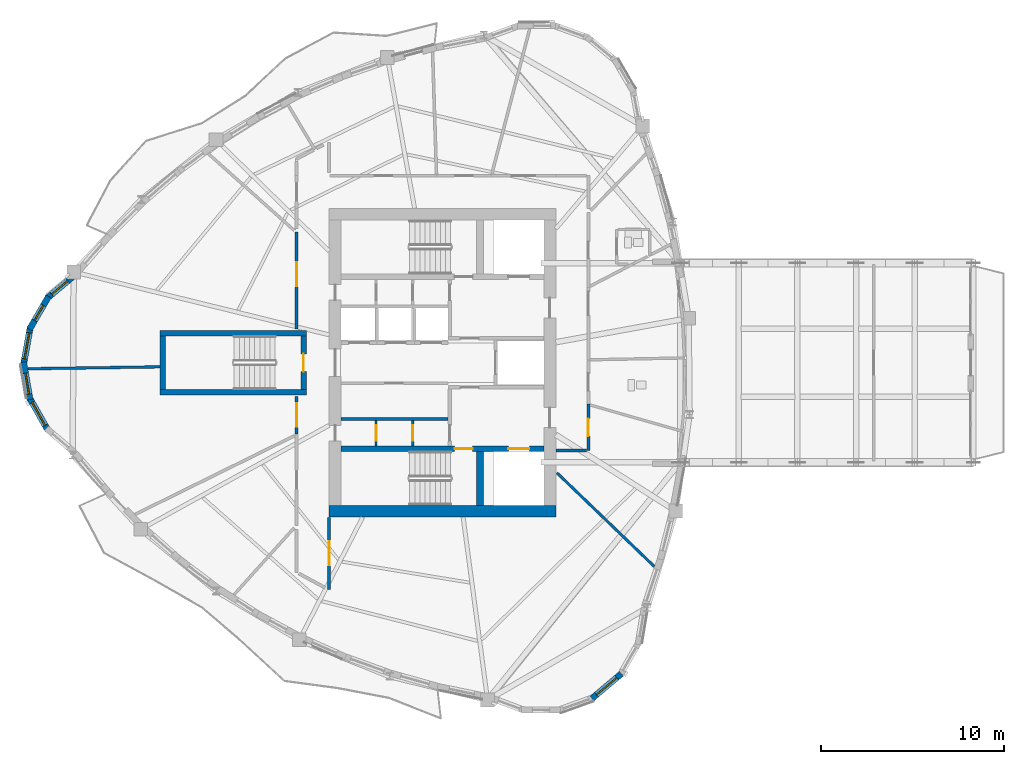
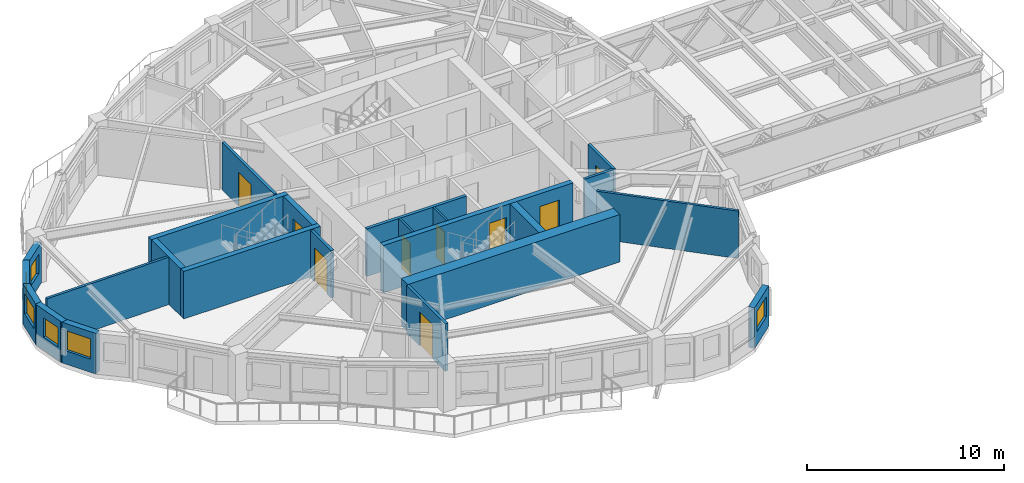
# One storey, part 5 of 13: 23 walls, 9 doors, 6 windows, 15 openings.
"""IFC4 building model written with IfcOpenShell, lengths in metres."""

from ifc_helpers import new_model, si_unit, direction, frame, frame_2d, origin, place, context, subcontext, project, spatial, rectangle, extrude, source, transform, mapped, material, layer, layer_set, type_object, element, fill, save


model = new_model("IFC4")

# Units and contexts
model_context = context("Model", 3, precision=1e-05, world=origin(), true_north=direction((0.0, 1.0)))
body_context = subcontext(model_context, "Body", "Model", "MODEL_VIEW")
ifc_project = project(units=[si_unit("LENGTHUNIT", "METRE"), si_unit("AREAUNIT", "SQUARE_METRE"), si_unit("VOLUMEUNIT", "CUBIC_METRE"), si_unit("PLANEANGLEUNIT", "RADIAN"), si_unit("MASSUNIT", "GRAM", prefix="KILO")], contexts=[model_context])

# Site, building, storey
site_placement = place(None, origin())
site = spatial("IfcSite", under=ifc_project, at=site_placement, CompositionType="ELEMENT")
building_placement = place(site_placement, origin())
building = spatial("IfcBuilding", under=site, at=building_placement, Name="Qafzar Sky-Pleat Residences", CompositionType="ELEMENT")
storey_placement = place(building_placement, frame((0.0, 0.0, 152.199951171875)))
storey = spatial("IfcBuildingStorey", under=building, at=storey_placement, Name="L45", CompositionType="ELEMENT", Elevation=152.199951171875)

# Wall, opening, door
ifc_material_1 = material(Name="Acoustic gypsum plasterboard partition", Category="gypsum")
ifc_layer_1 = layer(ifc_material_1, 0.159912109375)
ifc_layer_set_1 = layer_set([ifc_layer_1], Name="Acoustic gypsum plasterboard partition")
wall_type_1 = type_object("IfcWallType", Name="PART-COR-160", PredefinedType="PARTITIONING", material=ifc_layer_set_1)
wall_1_placement = place(storey_placement, frame((22.3701171875, 27.85009765625, 0.0), z_axis=(0.0, 0.0, 1.0), x_axis=(0.0, 1.0, 0.0)))
wall_1 = element("IfcWall", 1, at=wall_1_placement, inside=storey, type_object=wall_type_1, Name="L45 Partition Wall PART-L45-PW-003", PredefinedType="PARTITIONING", context=body_context, shape_type="SweptSolid", body=[
    extrude(rectangle(XDim=5.2939453125, YDim=0.159912109375, at=frame_2d((2.64697265625, 0.0))), origin(), (0.0, 0.0, 1.0), 2.93505859375),
])
opening_1_placement = place(wall_1_placement, frame((2.340576171875, 0.0, 0.0)))
opening_1 = element("IfcOpeningElement", 2, at=opening_1_placement, cuts=wall_1, Name="Opening ID-05", PredefinedType="OPENING", context=body_context, shape_type="SweptSolid", body=[
    extrude(rectangle(XDim=1.300048828125, YDim=2.10009765625, at=frame_2d((0.64990234375, 1.050048828125))), frame((0.0, 0.08984375, 0.0), z_axis=(0.0, -1.0, 0.0), x_axis=(1.0, 0.0, 0.0)), (0.0, 0.0, 1.0), 0.179931640625),
])
ifc_material_2 = material(Name="Timber-faced fire door", Category="wood")
door_type_1 = type_object("IfcDoorType", Name="DR-LNG-1300", OperationType="DOUBLE_DOOR_SINGLE_SWING", PredefinedType="DOOR", material=ifc_material_2)
shared_shape_1 = source(origin(), body_context, "Body", "SweptSolid", [
    extrude(rectangle(XDim=1.300048828125, YDim=2.10009765625, at=frame_2d((0.64990234375, 1.050048828125))), frame((0.0, 0.02490234375, 0.0), z_axis=(0.0, -1.0, 0.0), x_axis=(1.0, 0.0, 0.0)), (0.0, 0.0, 1.0), 0.050048828125),
])
door_1_placement = place(opening_1_placement, origin())
door_1 = element("IfcDoor", 3, at=door_1_placement, inside=storey, type_object=door_type_1, Name="L45 Tutorial Huddle Room Door", OperationType="DOUBLE_DOOR_SINGLE_SWING", OverallHeight=2.10009765625, OverallWidth=1.300048828125, PredefinedType="DOOR", context=body_context, shape_type="MappedRepresentation", body=[
    mapped(shared_shape_1, transform((0.0, 0.0, 0.0), x_axis=(1.0, 0.0, 0.0), y_axis=(0.0, 1.0, 0.0), z_axis=(0.0, 0.0, 1.0), scale=1.0)),
])
fill(opening_1, door_1)

wall_2_placement = place(storey_placement, frame((24.14990234375, 17.5419921875, 0.0), z_axis=(0.0, 0.0, 1.0), x_axis=(0.0, -1.0, 0.0)))
wall_2 = element("IfcWall", 4, at=wall_2_placement, inside=storey, type_object=wall_type_1, Name="L45 Partition Wall PART-L45-PW-007", PredefinedType="PARTITIONING", context=body_context, shape_type="SweptSolid", body=[
    extrude(rectangle(XDim=3.945068359375, YDim=0.159912109375, at=frame_2d((1.97265625, 0.0))), origin(), (0.0, 0.0, 1.0), 2.93505859375),
])
opening_2_placement = place(wall_2_placement, frame((1.318603515625, 0.0, 0.0)))
opening_2 = element("IfcOpeningElement", 5, at=opening_2_placement, cuts=wall_2, Name="Opening ID-05", PredefinedType="OPENING", context=body_context, shape_type="SweptSolid", body=[
    extrude(rectangle(XDim=1.300048828125, YDim=2.10009765625, at=frame_2d((0.64990234375, 1.050048828125))), frame((0.0, 0.08984375, 0.0), z_axis=(0.0, -1.0, 0.0), x_axis=(1.0, 0.0, 0.0)), (0.0, 0.0, 1.0), 0.179931640625),
])
door_2_placement = place(opening_2_placement, origin())
door_2 = element("IfcDoor", 6, at=door_2_placement, inside=storey, type_object=door_type_1, Name="L45 Academic Seminar Room Door", OperationType="DOUBLE_DOOR_SINGLE_SWING", OverallHeight=2.10009765625, OverallWidth=1.300048828125, PredefinedType="DOOR", context=body_context, shape_type="MappedRepresentation", body=[
    mapped(shared_shape_1, transform((0.0, 0.0, 0.0), x_axis=(1.0, 0.0, 0.0), y_axis=(0.0, 1.0, 0.0), z_axis=(0.0, 0.0, 1.0), scale=1.0)),
])
fill(opening_2, door_2)

wall_3_placement = place(storey_placement, frame((38.330078125, 23.735107421875, 0.0), z_axis=(0.0, 0.0, 1.0), x_axis=(0.0, -1.0, 0.0)))
wall_3 = element("IfcWall", 7, at=wall_3_placement, inside=storey, type_object=wall_type_1, Name="L45 Partition Wall PART-L45-PW-011", PredefinedType="PARTITIONING", context=body_context, shape_type="SweptSolid", body=[
    extrude(rectangle(XDim=2.53515625, YDim=0.159912109375, at=frame_2d((1.267578125, 0.0))), origin(), (0.0, 0.0, 1.0), 2.93505859375),
])
opening_3_placement = place(wall_3_placement, frame((0.79541015625, 0.0, 0.0)))
opening_3 = element("IfcOpeningElement", 8, at=opening_3_placement, cuts=wall_3, Name="Opening ID-06", PredefinedType="OPENING", context=body_context, shape_type="SweptSolid", body=[
    extrude(rectangle(XDim=0.9599609375, YDim=2.10009765625, at=frame_2d((0.47998046875, 1.050048828125))), frame((0.0, 0.08984375, 0.0), z_axis=(0.0, -1.0, 0.0), x_axis=(1.0, 0.0, 0.0)), (0.0, 0.0, 1.0), 0.179931640625),
])
door_type_2 = type_object("IfcDoorType", Name="DR-STD-960", OperationType="NOTDEFINED", PredefinedType="DOOR", material=ifc_material_2)
shared_shape_2 = source(origin(), body_context, "Body", "SweptSolid", [
    extrude(rectangle(XDim=0.9599609375, YDim=2.10009765625, at=frame_2d((0.47998046875, 1.050048828125))), frame((0.0, 0.02490234375, 0.0), z_axis=(0.0, -1.0, 0.0), x_axis=(1.0, 0.0, 0.0)), (0.0, 0.0, 1.0), 0.050048828125),
])
door_3_placement = place(opening_3_placement, origin())
door_3 = element("IfcDoor", 9, at=door_3_placement, inside=storey, type_object=door_type_2, Name="L45 Reading Library Door", OperationType="SINGLE_SWING_RIGHT", OverallHeight=2.10009765625, OverallWidth=0.9599609375, PredefinedType="DOOR", context=body_context, shape_type="MappedRepresentation", body=[
    mapped(shared_shape_2, transform((0.0, 0.0, 0.0), x_axis=(1.0, 0.0, 0.0), y_axis=(0.0, 1.0, 0.0), z_axis=(0.0, 0.0, 1.0), scale=1.0)),
])
fill(opening_3, door_3)

wall_4_placement = place(storey_placement, frame((22.3701171875, 22.093994140625, 0.0), z_axis=(0.0, 0.0, 1.0), x_axis=(0.0, 1.0, 0.0)))
wall_4 = element("IfcWall", 10, at=wall_4_placement, inside=storey, type_object=wall_type_1, Name="L45 Partition Wall PART-L45-PW-013", PredefinedType="PARTITIONING", context=body_context, shape_type="SweptSolid", body=[
    extrude(rectangle(XDim=2.055908203125, YDim=0.159912109375, at=frame_2d((1.02783203125, 0.0))), origin(), (0.0, 0.0, 1.0), 2.93505859375),
])
opening_4_placement = place(wall_4_placement, frame((0.39990234375, 0.0, 0.0)))
opening_4 = element("IfcOpeningElement", 11, at=opening_4_placement, cuts=wall_4, Name="Opening ID-05", PredefinedType="OPENING", context=body_context, shape_type="SweptSolid", body=[
    extrude(rectangle(XDim=1.300048828125, YDim=2.10009765625, at=frame_2d((0.64990234375, 1.050048828125))), frame((0.0, 0.08984375, 0.0), z_axis=(0.0, -1.0, 0.0), x_axis=(1.0, 0.0, 0.0)), (0.0, 0.0, 1.0), 0.179931640625),
])
door_4_placement = place(opening_4_placement, origin())
door_4 = element("IfcDoor", 12, at=door_4_placement, inside=storey, type_object=door_type_1, Name="L45 Research Conference Room Door", OperationType="DOUBLE_DOOR_SINGLE_SWING", OverallHeight=2.10009765625, OverallWidth=1.300048828125, PredefinedType="DOOR", context=body_context, shape_type="MappedRepresentation", body=[
    mapped(shared_shape_1, transform((0.0, 0.0, 0.0), x_axis=(1.0, 0.0, 0.0), y_axis=(0.0, 1.0, 0.0), z_axis=(0.0, 0.0, 1.0), scale=1.0)),
])
fill(opening_4, door_4)

# Walls
wall_5_placement = place(storey_placement, frame((36.55810546875, 21.199951171875, 0.0), z_axis=(0.0, 0.0, 1.0), x_axis=(1.0, 0.0, 0.0)))
element("IfcWall", 13, at=wall_5_placement, inside=storey, type_object=wall_type_1, Name="L45 Partition Wall PART-L45-PW-032", PredefinedType="PARTITIONING", context=body_context, shape_type="SweptSolid", body=[
    extrude(rectangle(XDim=1.683837890625, YDim=0.159912109375, at=frame_2d((0.841796875, 0.0))), origin(), (0.0, 0.0, 1.0), 2.93505859375),
])
ifc_material_3 = material(Name="Concrete blockwork partition", Category="masonry")
ifc_layer_2 = layer(ifc_material_3, 0.179931640625)
ifc_layer_set_2 = layer_set([ifc_layer_2], Name="Concrete blockwork partition")
wall_type_2 = type_object("IfcWallType", Name="PART-SHAFT-180", PredefinedType="PARTITIONING", material=ifc_layer_set_2)
wall_6_placement = place(storey_placement, frame((24.81005859375, 22.919921875, 0.0), z_axis=(0.0, 0.0, 1.0), x_axis=(1.0, 0.0, 0.0)))
element("IfcWall", 14, at=wall_6_placement, inside=storey, type_object=wall_type_2, Name="L45 Partition Wall PART-L45-P13-S", PredefinedType="PARTITIONING", context=body_context, shape_type="SweptSolid", body=[
    extrude(rectangle(XDim=5.83984375, YDim=0.179931640625, at=frame_2d((2.919921875, 0.0))), origin(), (0.0, 0.0, 1.0), 2.93505859375),
])

# Wall, opening, door
ifc_material_4 = material(Name="Gypsum plasterboard partition", Category="gypsum")
ifc_layer_3 = layer(ifc_material_4, 0.114990234375)
ifc_layer_set_3 = layer_set([ifc_layer_3], Name="Gypsum plasterboard partition")
wall_type_3 = type_object("IfcWallType", Name="PART-SVC-115", PredefinedType="PARTITIONING", material=ifc_layer_set_3)
wall_7_placement = place(storey_placement, frame((26.72509765625, 21.4599609375, 0.0), z_axis=(0.0, 0.0, 1.0), x_axis=(0.0, 1.0, 0.0)))
wall_7 = element("IfcWall", 15, at=wall_7_placement, inside=storey, type_object=wall_type_3, Name="L45 Partition Wall PART-L45-KC-SW-1", PredefinedType="PARTITIONING", context=body_context, shape_type="SweptSolid", body=[
    extrude(rectangle(XDim=1.380126953125, YDim=0.114990234375, at=frame_2d((0.68994140625, 0.0))), origin(), (0.0, 0.0, 1.0), 2.93505859375),
])
opening_5_placement = place(wall_7_placement, frame((0.260009765625, 0.0, 0.0)))
opening_5 = element("IfcOpeningElement", 16, at=opening_5_placement, cuts=wall_7, Name="Opening ID-09", PredefinedType="OPENING", context=body_context, shape_type="SweptSolid", body=[
    extrude(rectangle(XDim=0.860107421875, YDim=2.050048828125, at=frame_2d((0.43017578125, 1.02490234375))), frame((0.0, 0.0673828125, 0.0), z_axis=(0.0, -1.0, 0.0), x_axis=(1.0, 0.0, 0.0)), (0.0, 0.0, 1.0), 0.135009765625),
])
door_type_3 = type_object("IfcDoorType", Name="DR-SVC-860", OperationType="NOTDEFINED", PredefinedType="DOOR", material=ifc_material_2)
shared_shape_3 = source(origin(), body_context, "Body", "SweptSolid", [
    extrude(rectangle(XDim=0.860107421875, YDim=2.050048828125, at=frame_2d((0.43017578125, 1.02490234375))), frame((0.0, 0.02490234375, 0.0), z_axis=(0.0, -1.0, 0.0), x_axis=(1.0, 0.0, 0.0)), (0.0, 0.0, 1.0), 0.050048828125),
])
door_5_placement = place(opening_5_placement, origin())
door_5 = element("IfcDoor", 17, at=door_5_placement, inside=storey, type_object=door_type_3, Name="L45 Core South Cupboard 1 Door", OperationType="SINGLE_SWING_LEFT", OverallHeight=2.050048828125, OverallWidth=0.860107421875, PredefinedType="DOOR", context=body_context, shape_type="MappedRepresentation", body=[
    mapped(shared_shape_3, transform((0.0, 0.0, 0.0), x_axis=(1.0, 0.0, 0.0), y_axis=(0.0, 1.0, 0.0), z_axis=(0.0, 0.0, 1.0), scale=1.0)),
])
fill(opening_5, door_5)

wall_8_placement = place(storey_placement, frame((28.72509765625, 21.4599609375, 0.0), z_axis=(0.0, 0.0, 1.0), x_axis=(0.0, 1.0, 0.0)))
wall_8 = element("IfcWall", 18, at=wall_8_placement, inside=storey, type_object=wall_type_3, Name="L45 Partition Wall PART-L45-KC-SW-2", PredefinedType="PARTITIONING", context=body_context, shape_type="SweptSolid", body=[
    extrude(rectangle(XDim=1.380126953125, YDim=0.114990234375, at=frame_2d((0.68994140625, 0.0))), origin(), (0.0, 0.0, 1.0), 2.93505859375),
])
opening_6_placement = place(wall_8_placement, frame((0.260009765625, 0.0, 0.0)))
opening_6 = element("IfcOpeningElement", 19, at=opening_6_placement, cuts=wall_8, Name="Opening ID-09", PredefinedType="OPENING", context=body_context, shape_type="SweptSolid", body=[
    extrude(rectangle(XDim=0.860107421875, YDim=2.050048828125, at=frame_2d((0.43017578125, 1.02490234375))), frame((0.0, 0.0673828125, 0.0), z_axis=(0.0, -1.0, 0.0), x_axis=(1.0, 0.0, 0.0)), (0.0, 0.0, 1.0), 0.135009765625),
])
door_6_placement = place(opening_6_placement, origin())
door_6 = element("IfcDoor", 20, at=door_6_placement, inside=storey, type_object=door_type_3, Name="L45 Core South Cupboard 2 Door", OperationType="SINGLE_SWING_LEFT", OverallHeight=2.050048828125, OverallWidth=0.860107421875, PredefinedType="DOOR", context=body_context, shape_type="MappedRepresentation", body=[
    mapped(shared_shape_3, transform((0.0, 0.0, 0.0), x_axis=(1.0, 0.0, 0.0), y_axis=(0.0, 1.0, 0.0), z_axis=(0.0, 0.0, 1.0), scale=1.0)),
])
fill(opening_6, door_6)

# Walls
ifc_layer_4 = layer(ifc_material_1, 0.14501953125)
ifc_layer_set_4 = layer_set([ifc_layer_4], Name="Acoustic gypsum plasterboard partition")
wall_type_4 = type_object("IfcWallType", Name="PART-UNIT-145", PredefinedType="PARTITIONING", material=ifc_layer_set_4)
wall_9_placement = place(storey_placement, frame((36.60595703125, 19.983154296875, 0.0), z_axis=(0.0, 0.0, 1.0), x_axis=(0.720776649136, -0.69316738387, 0.0)))
element("IfcWall", 21, at=wall_9_placement, inside=storey, type_object=wall_type_4, Name="L45 Partition Wall PART-L45-PW-018", PredefinedType="PARTITIONING", context=body_context, shape_type="SweptSolid", body=[
    extrude(rectangle(XDim=7.4013671875, YDim=0.14501953125, at=frame_2d((3.70068359375, 0.0))), origin(), (0.0, 0.0, 1.0), 2.93505859375),
])
wall_10_placement = place(storey_placement, frame((7.689453125, 25.67138671875, 0.0), z_axis=(0.0, 0.0, 1.0), x_axis=(0.999894747293, 0.014508422953, 0.0)))
element("IfcWall", 22, at=wall_10_placement, inside=storey, type_object=wall_type_4, Name="L45 Partition Wall PART-L45-PW-019", PredefinedType="PARTITIONING", context=body_context, shape_type="SweptSolid", body=[
    extrude(rectangle(XDim=7.2021484375, YDim=0.14501953125, at=frame_2d((3.60107421875, 0.0))), origin(), (0.0, 0.0, 1.0), 2.93505859375),
])

# Wall, opening, window
ifc_material_5 = material(Name="Precast concrete C40/50 with honed Riyadh limestone", Category="concrete")
ifc_layer_5 = layer(ifc_material_5, 0.340087890625)
ifc_layer_set_5 = layer_set([ifc_layer_5], Name="Precast concrete C40/50 with honed Riyadh limestone")
wall_type_5 = type_object("IfcWallType", Name="WALL-EXT-340", PredefinedType="SOLIDWALL", material=ifc_layer_set_5)
wall_11_placement = place(storey_placement, frame((10.1640625, 30.737548828125, 0.0), z_axis=(0.0, 0.0, 1.0), x_axis=(-0.766501557267, -0.64224244854, 0.0)))
wall_11 = element("IfcWall", 23, at=wall_11_placement, inside=storey, type_object=wall_type_5, Name="L45 Limestone Facade Wall 1", PredefinedType="SOLIDWALL", context=body_context, shape_type="SweptSolid", body=[
    extrude(rectangle(XDim=1.88818359375, YDim=0.340087890625, at=frame_2d((0.944091796875, 0.0))), origin(), (0.0, 0.0, 1.0), 2.51513671875),
])
opening_7_placement = place(wall_11_placement, frame((0.404052734375, 0.0, 0.820068359375)))
opening_7 = element("IfcOpeningElement", 24, at=opening_7_placement, cuts=wall_11, Name="Opening WN-16", PredefinedType="OPENING", context=body_context, shape_type="SweptSolid", body=[
    extrude(rectangle(XDim=1.14990234375, YDim=1.199951171875, at=frame_2d((0.574951171875, 0.60009765625))), frame((0.0, 0.18017578125, 0.0), z_axis=(0.0, -1.0, 0.0), x_axis=(1.0, 0.0, 0.0)), (0.0, 0.0, 1.0), 0.360107421875),
])
ifc_material_6 = material(Name="Solar-control low-E glass in bronze aluminium frame", Category="glass")
window_type_1 = type_object("IfcWindowType", Name="WIN-16", PartitioningType="SINGLE_PANEL", PredefinedType="WINDOW", material=ifc_material_6)
shared_shape_4 = source(origin(), body_context, "Body", "SweptSolid", [
    extrude(rectangle(XDim=1.14990234375, YDim=1.199951171875, at=frame_2d((0.574951171875, 0.60009765625))), frame((0.0, 0.030029296875, 0.0), z_axis=(0.0, -1.0, 0.0), x_axis=(1.0, 0.0, 0.0)), (0.0, 0.0, 1.0), 0.06005859375),
])
window_1_placement = place(opening_7_placement, origin())
window_1 = element("IfcWindow", 25, at=window_1_placement, inside=storey, type_object=window_type_1, Name="L45 Punched Facade Window 01", OverallHeight=1.199951171875, OverallWidth=1.14990234375, PartitioningType="SINGLE_PANEL", PredefinedType="WINDOW", context=body_context, shape_type="MappedRepresentation", body=[
    mapped(shared_shape_4, transform((0.0, 0.0, 0.0), x_axis=(1.0, 0.0, 0.0), y_axis=(0.0, 1.0, 0.0), z_axis=(0.0, 0.0, 1.0), scale=1.0)),
])
fill(opening_7, window_1)

wall_12_placement = place(storey_placement, frame((8.802734375, 29.627197265625, 0.0), z_axis=(0.0, 0.0, 1.0), x_axis=(-0.502090235641, -0.864815237651, 0.0)))
wall_12 = element("IfcWall", 26, at=wall_12_placement, inside=storey, type_object=wall_type_5, Name="L45 Limestone Facade Wall 2", PredefinedType="SOLIDWALL", context=body_context, shape_type="SweptSolid", body=[
    extrude(rectangle(XDim=2.0810546875, YDim=0.340087890625, at=frame_2d((1.04052734375, 0.0))), origin(), (0.0, 0.0, 1.0), 2.51513671875),
])
opening_8_placement = place(wall_12_placement, frame((0.5654296875, 0.0, 0.820068359375)))
opening_8 = element("IfcOpeningElement", 27, at=opening_8_placement, cuts=wall_12, Name="Opening WN-12", PredefinedType="OPENING", context=body_context, shape_type="SweptSolid", body=[
    extrude(rectangle(XDim=0.949951171875, YDim=1.35009765625, at=frame_2d((0.47509765625, 0.675048828125))), frame((0.0, 0.18017578125, 0.0), z_axis=(0.0, -1.0, 0.0), x_axis=(1.0, 0.0, 0.0)), (0.0, 0.0, 1.0), 0.360107421875),
])
window_type_2 = type_object("IfcWindowType", Name="WIN-12", PartitioningType="SINGLE_PANEL", PredefinedType="WINDOW", material=ifc_material_6)
shared_shape_5 = source(origin(), body_context, "Body", "SweptSolid", [
    extrude(rectangle(XDim=0.949951171875, YDim=1.35009765625, at=frame_2d((0.47509765625, 0.675048828125))), frame((0.0, 0.030029296875, 0.0), z_axis=(0.0, -1.0, 0.0), x_axis=(1.0, 0.0, 0.0)), (0.0, 0.0, 1.0), 0.06005859375),
])
window_2_placement = place(opening_8_placement, origin())
window_2 = element("IfcWindow", 28, at=window_2_placement, inside=storey, type_object=window_type_2, Name="L45 Punched Facade Window 02", OverallHeight=1.35009765625, OverallWidth=0.949951171875, PartitioningType="SINGLE_PANEL", PredefinedType="WINDOW", context=body_context, shape_type="MappedRepresentation", body=[
    mapped(shared_shape_5, transform((0.0, 0.0, 0.0), x_axis=(1.0, 0.0, 0.0), y_axis=(0.0, 1.0, 0.0), z_axis=(0.0, 0.0, 1.0), scale=1.0)),
])
fill(opening_8, window_2)

wall_13_placement = place(storey_placement, frame((7.803955078125, 27.952880859375, 0.0), z_axis=(0.0, 0.0, 1.0), x_axis=(-0.177605215389, -0.984101817632, 0.0)))
wall_13 = element("IfcWall", 29, at=wall_13_placement, inside=storey, type_object=wall_type_5, Name="L45 Limestone Facade Wall 3", PredefinedType="SOLIDWALL", context=body_context, shape_type="SweptSolid", body=[
    extrude(rectangle(XDim=2.081298828125, YDim=0.340087890625, at=frame_2d((1.04052734375, 0.0))), origin(), (0.0, 0.0, 1.0), 2.51513671875),
])
opening_9_placement = place(wall_13_placement, frame((0.315673828125, 0.0, 0.820068359375)))
opening_9 = element("IfcOpeningElement", 30, at=opening_9_placement, cuts=wall_13, Name="Opening WN-15", PredefinedType="OPENING", context=body_context, shape_type="SweptSolid", body=[
    extrude(rectangle(XDim=1.449951171875, YDim=1.25, at=frame_2d((0.72509765625, 0.625))), frame((0.0, 0.18017578125, 0.0), z_axis=(0.0, -1.0, 0.0), x_axis=(1.0, 0.0, 0.0)), (0.0, 0.0, 1.0), 0.360107421875),
])
window_type_3 = type_object("IfcWindowType", Name="WIN-15", PartitioningType="SINGLE_PANEL", PredefinedType="WINDOW", material=ifc_material_6)
shared_shape_6 = source(origin(), body_context, "Body", "SweptSolid", [
    extrude(rectangle(XDim=1.449951171875, YDim=1.25, at=frame_2d((0.72509765625, 0.625))), frame((0.0, 0.030029296875, 0.0), z_axis=(0.0, -1.0, 0.0), x_axis=(1.0, 0.0, 0.0)), (0.0, 0.0, 1.0), 0.06005859375),
])
window_3_placement = place(opening_9_placement, origin())
window_3 = element("IfcWindow", 31, at=window_3_placement, inside=storey, type_object=window_type_3, Name="L45 Punched Facade Window 03", OverallHeight=1.25, OverallWidth=1.449951171875, PartitioningType="SINGLE_PANEL", PredefinedType="WINDOW", context=body_context, shape_type="MappedRepresentation", body=[
    mapped(shared_shape_6, transform((0.0, 0.0, 0.0), x_axis=(1.0, 0.0, 0.0), y_axis=(0.0, 1.0, 0.0), z_axis=(0.0, 0.0, 1.0), scale=1.0)),
])
fill(opening_9, window_3)

wall_14_placement = place(storey_placement, frame((7.43505859375, 26.038330078125, 0.0), z_axis=(0.0, 0.0, 1.0), x_axis=(0.168107405166, -0.985768685001, 0.0)))
wall_14 = element("IfcWall", 32, at=wall_14_placement, inside=storey, type_object=wall_type_5, Name="L45 Limestone Facade Wall 4", PredefinedType="SOLIDWALL", context=body_context, shape_type="SweptSolid", body=[
    extrude(rectangle(XDim=2.0810546875, YDim=0.340087890625, at=frame_2d((1.04052734375, 0.0))), origin(), (0.0, 0.0, 1.0), 2.51513671875),
])
opening_10_placement = place(wall_14_placement, frame((0.62548828125, 0.0, 0.820068359375)))
opening_10 = element("IfcOpeningElement", 33, at=opening_10_placement, cuts=wall_14, Name="Opening WN-16", PredefinedType="OPENING", context=body_context, shape_type="SweptSolid", body=[
    extrude(rectangle(XDim=1.14990234375, YDim=1.199951171875, at=frame_2d((0.574951171875, 0.60009765625))), frame((0.0, 0.18017578125, 0.0), z_axis=(0.0, -1.0, 0.0), x_axis=(1.0, 0.0, 0.0)), (0.0, 0.0, 1.0), 0.360107421875),
])
window_4_placement = place(opening_10_placement, origin())
window_4 = element("IfcWindow", 34, at=window_4_placement, inside=storey, type_object=window_type_1, Name="L45 Punched Facade Window 04", OverallHeight=1.199951171875, OverallWidth=1.14990234375, PartitioningType="SINGLE_PANEL", PredefinedType="WINDOW", context=body_context, shape_type="MappedRepresentation", body=[
    mapped(shared_shape_4, transform((0.0, 0.0, 0.0), x_axis=(1.0, 0.0, 0.0), y_axis=(0.0, 1.0, 0.0), z_axis=(0.0, 0.0, 1.0), scale=1.0)),
])
fill(opening_10, window_4)

wall_15_placement = place(storey_placement, frame((7.739990234375, 24.11279296875, 0.0), z_axis=(0.0, 0.0, 1.0), x_axis=(0.493660675866, -0.869654607936, 0.0)))
wall_15 = element("IfcWall", 35, at=wall_15_placement, inside=storey, type_object=wall_type_5, Name="L45 Limestone Facade Wall 5", PredefinedType="SOLIDWALL", context=body_context, shape_type="SweptSolid", body=[
    extrude(rectangle(XDim=2.0810546875, YDim=0.340087890625, at=frame_2d((1.04052734375, 0.0))), origin(), (0.0, 0.0, 1.0), 2.51513671875),
])
opening_11_placement = place(wall_15_placement, frame((0.315673828125, 0.0, 0.820068359375)))
opening_11 = element("IfcOpeningElement", 36, at=opening_11_placement, cuts=wall_15, Name="Opening WN-15", PredefinedType="OPENING", context=body_context, shape_type="SweptSolid", body=[
    extrude(rectangle(XDim=1.449951171875, YDim=1.25, at=frame_2d((0.72509765625, 0.625))), frame((0.0, 0.18017578125, 0.0), z_axis=(0.0, -1.0, 0.0), x_axis=(1.0, 0.0, 0.0)), (0.0, 0.0, 1.0), 0.360107421875),
])
window_5_placement = place(opening_11_placement, origin())
window_5 = element("IfcWindow", 37, at=window_5_placement, inside=storey, type_object=window_type_3, Name="L45 Punched Facade Window 05", OverallHeight=1.25, OverallWidth=1.449951171875, PartitioningType="SINGLE_PANEL", PredefinedType="WINDOW", context=body_context, shape_type="MappedRepresentation", body=[
    mapped(shared_shape_6, transform((0.0, 0.0, 0.0), x_axis=(1.0, 0.0, 0.0), y_axis=(0.0, 1.0, 0.0), z_axis=(0.0, 0.0, 1.0), scale=1.0)),
])
fill(opening_11, window_5)

wall_16_placement = place(storey_placement, frame((38.52734375, 7.631591796875, 0.0), z_axis=(0.0, 0.0, 1.0), x_axis=(0.76506129474, 0.643957463883, 0.0)))
wall_16 = element("IfcWall", 38, at=wall_16_placement, inside=storey, type_object=wall_type_5, Name="L45 Limestone Facade Wall 20", PredefinedType="SOLIDWALL", context=body_context, shape_type="SweptSolid", body=[
    extrude(rectangle(XDim=2.108642578125, YDim=0.340087890625, at=frame_2d((1.05419921875, 0.0))), origin(), (0.0, 0.0, 1.0), 2.51513671875),
])
opening_12_placement = place(wall_16_placement, frame((0.329345703125, 0.0, 0.820068359375)))
opening_12 = element("IfcOpeningElement", 39, at=opening_12_placement, cuts=wall_16, Name="Opening WN-15", PredefinedType="OPENING", context=body_context, shape_type="SweptSolid", body=[
    extrude(rectangle(XDim=1.449951171875, YDim=1.25, at=frame_2d((0.72509765625, 0.625))), frame((0.0, 0.18017578125, 0.0), z_axis=(0.0, -1.0, 0.0), x_axis=(1.0, 0.0, 0.0)), (0.0, 0.0, 1.0), 0.360107421875),
])
window_6_placement = place(opening_12_placement, origin())
window_6 = element("IfcWindow", 40, at=window_6_placement, inside=storey, type_object=window_type_3, Name="L45 Punched Facade Window 20", OverallHeight=1.25, OverallWidth=1.449951171875, PartitioningType="SINGLE_PANEL", PredefinedType="WINDOW", context=body_context, shape_type="MappedRepresentation", body=[
    mapped(shared_shape_6, transform((0.0, 0.0, 0.0), x_axis=(1.0, 0.0, 0.0), y_axis=(0.0, 1.0, 0.0), z_axis=(0.0, 0.0, 1.0), scale=1.0)),
])
fill(opening_12, window_6)

# Wall, openings, doors
ifc_material_7 = material(Name="Concrete C60/75", Category="concrete")
ifc_layer_6 = layer(ifc_material_7, 0.300048828125)
ifc_layer_set_6 = layer_set([ifc_layer_6], Name="Concrete C60/75")
wall_type_6 = type_object("IfcWallType", Name="WALL-SHEAR-300", PredefinedType="SHEAR", material=ifc_layer_set_6)
wall_17_placement = place(storey_placement, frame((24.800048828125, 21.300048828125, 0.0), z_axis=(0.0, 0.0, 1.0), x_axis=(1.0, 0.0, 0.0)))
wall_17 = element("IfcWall", 41, at=wall_17_placement, inside=storey, type_object=wall_type_6, Name="L45 Stair ST1 and FF1 Shaft North Wall", PredefinedType="SHEAR", context=body_context, shape_type="SweptSolid", body=[
    extrude(rectangle(XDim=11.099853515625, YDim=0.300048828125, at=frame_2d((5.5498046875, 0.0))), origin(), (0.0, 0.0, 1.0), 2.93505859375),
])
opening_13_placement = place(wall_17_placement, frame((6.219970703125, 0.0, 0.0)))
opening_13 = element("IfcOpeningElement", 42, at=opening_13_placement, cuts=wall_17, Name="Opening ID-01", PredefinedType="OPENING", context=body_context, shape_type="SweptSolid", body=[
    extrude(rectangle(XDim=0.97998046875, YDim=2.14990234375, at=frame_2d((0.489990234375, 1.074951171875))), frame((0.0, 0.16015625, 0.0), z_axis=(0.0, -1.0, 0.0), x_axis=(1.0, 0.0, 0.0)), (0.0, 0.0, 1.0), 0.320068359375),
])
opening_14_placement = place(wall_17_placement, frame((9.14990234375, 0.0, 0.0)))
opening_14 = element("IfcOpeningElement", 43, at=opening_14_placement, cuts=wall_17, Name="Opening LD-02", PredefinedType="OPENING", context=body_context, shape_type="SweptSolid", body=[
    extrude(rectangle(XDim=1.14990234375, YDim=2.14990234375, at=frame_2d((0.574951171875, 1.074951171875))), frame((0.0, 0.16015625, 0.0), z_axis=(0.0, -1.0, 0.0), x_axis=(1.0, 0.0, 0.0)), (0.0, 0.0, 1.0), 0.320068359375),
])
door_type_4 = type_object("IfcDoorType", Name="DR-STAIR-980", OperationType="NOTDEFINED", PredefinedType="DOOR", material=ifc_material_2)
shared_shape_7 = source(origin(), body_context, "Body", "SweptSolid", [
    extrude(rectangle(XDim=0.97998046875, YDim=2.14990234375, at=frame_2d((0.489990234375, 1.074951171875))), frame((0.0, 0.02490234375, 0.0), z_axis=(0.0, -1.0, 0.0), x_axis=(1.0, 0.0, 0.0)), (0.0, 0.0, 1.0), 0.050048828125),
])
door_7_placement = place(opening_13_placement, origin())
door_7 = element("IfcDoor", 44, at=door_7_placement, inside=storey, type_object=door_type_4, Name="L45 Stair ST1 Fire Door", OperationType="SINGLE_SWING_LEFT", OverallHeight=2.14990234375, OverallWidth=0.97998046875, PredefinedType="DOOR", context=body_context, shape_type="MappedRepresentation", body=[
    mapped(shared_shape_7, transform((0.0, 0.0, 0.0), x_axis=(1.0, 0.0, 0.0), y_axis=(0.0, 1.0, 0.0), z_axis=(0.0, 0.0, 1.0), scale=1.0)),
])
fill(opening_13, door_7)
ifc_material_8 = material(Name="Stainless steel sliding landing door", Category="steel")
door_type_5 = type_object("IfcDoorType", Name="DR-LIFT-FF", OperationType="DOUBLE_DOOR_SLIDING", PredefinedType="DOOR", material=ifc_material_8)
shared_shape_8 = source(origin(), body_context, "Body", "SweptSolid", [
    extrude(rectangle(XDim=1.14990234375, YDim=2.14990234375, at=frame_2d((0.574951171875, 1.074951171875))), frame((0.0, 0.02490234375, 0.0), z_axis=(0.0, -1.0, 0.0), x_axis=(1.0, 0.0, 0.0)), (0.0, 0.0, 1.0), 0.050048828125),
])
door_8_placement = place(opening_14_placement, origin())
door_8 = element("IfcDoor", 45, at=door_8_placement, inside=storey, type_object=door_type_5, Name="L45 Firefighting Lift FF1 Landing Door", OperationType="DOUBLE_DOOR_SLIDING", OverallHeight=2.14990234375, OverallWidth=1.14990234375, PredefinedType="DOOR", context=body_context, shape_type="MappedRepresentation", body=[
    mapped(shared_shape_8, transform((0.0, 0.0, 0.0), x_axis=(1.0, 0.0, 0.0), y_axis=(0.0, 1.0, 0.0), z_axis=(0.0, 0.0, 1.0), scale=1.0)),
])
fill(opening_14, door_8)

# Walls
for number, where, z_axis, x_axis, name in (
    (46, (14.89990234375, 24.375, 0.0), (0.0, 0.0, 1.0), (1.0, 0.0, 0.0), "L45 ST3 wall S"),
    (47, (22.89990234375, 27.625, 0.0), (0.0, 0.0, 1.0), (-1.0, 0.0, 0.0), "L45 ST3 wall N"),
):
    element("IfcWall", number, at=place(storey_placement, frame(where, z_axis=z_axis, x_axis=x_axis)), inside=storey, type_object=wall_type_6, Name=name, PredefinedType="SHEAR", context=body_context, shape_type="SweptSolid", body=[
        extrude(rectangle(XDim=8.0, YDim=0.300048828125, at=frame_2d((4.0, 0.0))), origin(), (0.0, 0.0, 1.0), 2.93505859375),
    ])
wall_18_placement = place(storey_placement, frame((15.050048828125, 27.47509765625, 0.0), z_axis=(0.0, 0.0, 1.0), x_axis=(0.0, -1.0, 0.0)))
element("IfcWall", 48, at=wall_18_placement, inside=storey, type_object=wall_type_6, Name="L45 ST3 wall W", PredefinedType="SHEAR", context=body_context, shape_type="SweptSolid", body=[
    extrude(rectangle(XDim=2.9501953125, YDim=0.300048828125, at=frame_2d((1.47509765625, 0.0))), origin(), (0.0, 0.0, 1.0), 2.93505859375),
])

# Wall, opening, door
wall_19_placement = place(storey_placement, frame((22.75, 24.52490234375, 0.0), z_axis=(0.0, 0.0, 1.0), x_axis=(0.0, 1.0, 0.0)))
wall_19 = element("IfcWall", 49, at=wall_19_placement, inside=storey, type_object=wall_type_6, Name="L45 ST3 wall E", PredefinedType="SHEAR", context=body_context, shape_type="SweptSolid", body=[
    extrude(rectangle(XDim=2.9501953125, YDim=0.300048828125, at=frame_2d((1.47509765625, 0.0))), origin(), (0.0, 0.0, 1.0), 2.93505859375),
])
opening_15_placement = place(wall_19_placement, frame((0.985107421875, 0.0, 0.0)))
opening_15 = element("IfcOpeningElement", 50, at=opening_15_placement, cuts=wall_19, Name="Opening ID-01", PredefinedType="OPENING", context=body_context, shape_type="SweptSolid", body=[
    extrude(rectangle(XDim=0.97998046875, YDim=2.14990234375, at=frame_2d((0.489990234375, 1.074951171875))), frame((0.0, 0.16015625, 0.0), z_axis=(0.0, -1.0, 0.0), x_axis=(1.0, 0.0, 0.0)), (0.0, 0.0, 1.0), 0.320068359375),
])
door_9_placement = place(opening_15_placement, origin())
door_9 = element("IfcDoor", 51, at=door_9_placement, inside=storey, type_object=door_type_4, Name="L45 Stair ST3 Fire Door", OperationType="SINGLE_SWING_LEFT", OverallHeight=2.14990234375, OverallWidth=0.97998046875, PredefinedType="DOOR", context=body_context, shape_type="MappedRepresentation", body=[
    mapped(shared_shape_7, transform((0.0, 0.0, 0.0), x_axis=(1.0, 0.0, 0.0), y_axis=(0.0, 1.0, 0.0), z_axis=(0.0, 0.0, 1.0), scale=1.0)),
])
fill(opening_15, door_9)

# Walls
ifc_layer_7 = layer(ifc_material_7, 0.39990234375)
ifc_layer_set_7 = layer_set([ifc_layer_7], Name="Concrete C60/75")
wall_type_7 = type_object("IfcWallType", Name="WALL-SHEAR-400", PredefinedType="SHEAR", material=ifc_layer_set_7)
wall_20_placement = place(storey_placement, frame((32.39990234375, 18.199951171875, 0.0), z_axis=(0.0, 0.0, 1.0), x_axis=(0.0, 1.0, 0.0)))
element("IfcWall", 52, at=wall_20_placement, inside=storey, type_object=wall_type_7, Name="L45 Stair ST1 East Dividing Wall", PredefinedType="SHEAR", context=body_context, shape_type="SweptSolid", body=[
    extrude(rectangle(XDim=2.949951171875, YDim=0.39990234375, at=frame_2d((1.47509765625, 0.0))), origin(), (0.0, 0.0, 1.0), 2.93505859375),
])
ifc_layer_8 = layer(ifc_material_7, 0.64990234375)
ifc_layer_set_8 = layer_set([ifc_layer_8], Name="Concrete C60/75")
wall_type_8 = type_object("IfcWallType", Name="WALL-SHEAR-650", PredefinedType="SHEAR", material=ifc_layer_set_8)
wall_21_placement = place(storey_placement, frame((24.14990234375, 17.875, 0.0), z_axis=(0.0, 0.0, 1.0), x_axis=(1.0, 0.0, 0.0)))
element("IfcWall", 53, at=wall_21_placement, inside=storey, type_object=wall_type_8, Name="L45 CORE wall S", PredefinedType="SHEAR", context=body_context, shape_type="SweptSolid", body=[
    extrude(rectangle(XDim=12.400146484375, YDim=0.64990234375, at=frame_2d((6.2001953125, 0.0))), origin(), (0.0, 0.0, 1.0), 2.93505859375),
])

save(model, "model.ifc")
